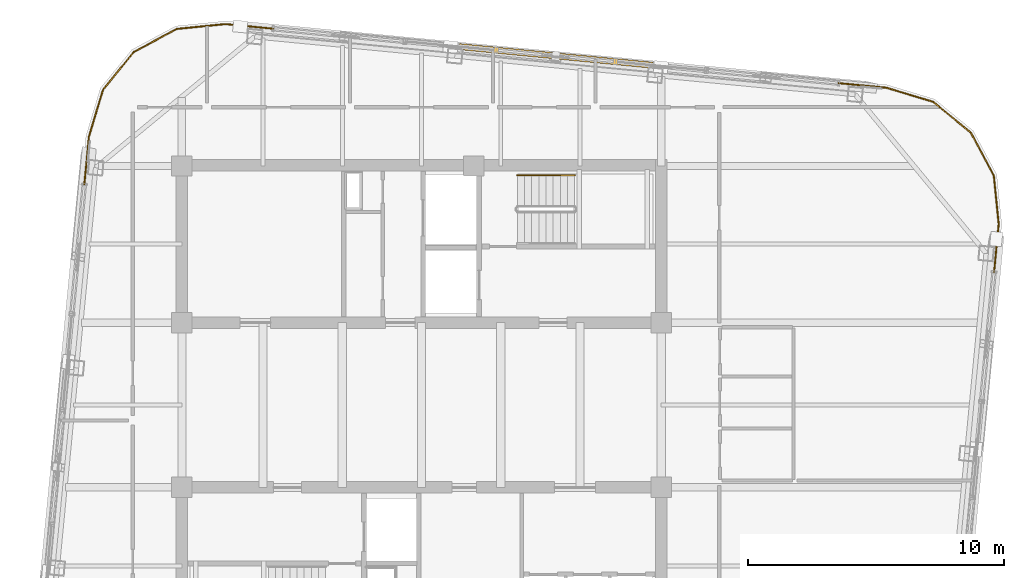
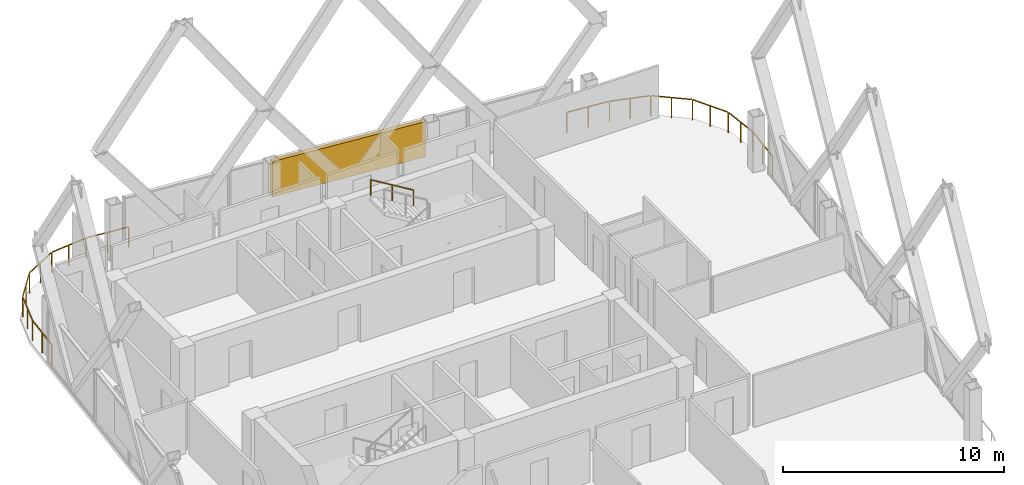
# One storey, part 25 of 25: 3 railings, 1 shading device.
"""IFC4 building model written with IfcOpenShell, lengths in metres."""

import ifcopenshell
import ifcopenshell.guid

model = None  # the IFC model being written
_history = None  # IfcOwnerHistory: only IFC2X3 demands one
_inside = {}  # id of a spatial element -> (the spatial element, [elements in it])
_under = {}  # id of a project, library or spatial element -> (it, [spatial elements below it])
_declared = {}  # id of a project -> (the project, [libraries it declares])
_typed = {}  # id of a type object -> (the type object, [elements of that type])
_made_of = {}  # id of a material, layer set ... -> (it, [elements and type objects made of it])


def new_model(schema):
    """Start an empty IFC model of exactly this schema.

    Asked for "IFC4X3", IfcOpenShell would pick the latest addendum, in which some entities
    have other attributes; the version numbers below select the first issue.
    IFC2X3 requires an IfcOwnerHistory on every rooted entity: one is made here for all.
    """
    global model, _history
    if schema == "IFC4X3":
        model = ifcopenshell.file(schema_version=(4, 3, 0, 0))
    else:
        model = ifcopenshell.file(schema=schema)
    _inside.clear()
    _under.clear()
    _declared.clear()
    _typed.clear()
    _made_of.clear()
    _history = None
    if model.schema == "IFC2X3":
        org = make("IfcOrganization", Name="unknown")
        user = make(
            "IfcPersonAndOrganization",
            ThePerson=make("IfcPerson", FamilyName="unknown"),
            TheOrganization=org,
        )
        app = make(
            "IfcApplication",
            ApplicationDeveloper=org,
            Version="unknown",
            ApplicationFullName="unknown",
            ApplicationIdentifier="unknown",
        )
        _history = make(
            "IfcOwnerHistory",
            OwningUser=user,
            OwningApplication=app,
            ChangeAction="ADDED",
            CreationDate=0,
        )
    return model


def make(cls, **values):
    """One entity of the class cls with the attributes given. An attribute that is None is left unset."""
    return model.create_entity(
        cls, **{name: value for name, value in values.items() if value is not None}
    )


def rooted(cls, **values):
    """An entity with a GlobalId (a new one), such as an element, a storey or a relation."""
    return make(cls, GlobalId=ifcopenshell.guid.new(), OwnerHistory=_history, **values)


def si_unit(unit_type, name, prefix=None):
    """IfcSIUnit, for example si_unit("LENGTHUNIT", "METRE", prefix="MILLI")."""
    return make("IfcSIUnit", UnitType=unit_type, Prefix=prefix, Name=name)


def assignment(units):
    """IfcUnitAssignment: the units of a project."""
    return None if units is None else make("IfcUnitAssignment", Units=units)


def point(xyz):
    """IfcCartesianPoint."""
    return None if xyz is None else make("IfcCartesianPoint", Coordinates=xyz)


def direction(xyz):
    """IfcDirection."""
    return None if xyz is None else make("IfcDirection", DirectionRatios=xyz)


def frame(location, z_axis=None, x_axis=None):
    """IfcAxis2Placement3D, a coordinate frame: its origin and axes. An axis left out is left unset."""
    return make(
        "IfcAxis2Placement3D",
        Location=point(location),
        Axis=direction(z_axis),
        RefDirection=direction(x_axis),
    )


def frame_2d(location, x_axis=None):
    """IfcAxis2Placement2D, a coordinate frame in the plane: its origin and x axis."""
    return make(
        "IfcAxis2Placement2D", Location=point(location), RefDirection=direction(x_axis)
    )


def origin():
    """The frame at (0, 0, 0) with its axes left unset."""
    return frame((0.0, 0.0, 0.0))


def origin_2d():
    """The frame at (0, 0) in the plane with its x axis left unset."""
    return frame_2d((0.0, 0.0))


def place(relative_to, where):
    """IfcLocalPlacement: puts the frame where relative to a parent placement (None: the world)."""
    return make(
        "IfcLocalPlacement", PlacementRelTo=relative_to, RelativePlacement=where
    )


def context(
    kind, dimensions, precision=None, world=None, true_north=None, identifier=None
):
    """IfcGeometricRepresentationContext, for example the 3D "Model" context."""
    return make(
        "IfcGeometricRepresentationContext",
        ContextIdentifier=identifier,
        ContextType=kind,
        CoordinateSpaceDimension=dimensions,
        Precision=precision,
        WorldCoordinateSystem=world,
        TrueNorth=true_north,
    )


def subcontext(parent, identifier, kind, view, scale=None):
    """IfcGeometricRepresentationSubContext, for example "Body" below "Model"."""
    return make(
        "IfcGeometricRepresentationSubContext",
        ContextIdentifier=identifier,
        ContextType=kind,
        ParentContext=parent,
        TargetScale=scale,
        TargetView=view,
    )


def project(units=None, contexts=None):
    """IfcProject with its units and contexts."""
    return rooted(
        "IfcProject",
        Name="project",
        RepresentationContexts=contexts,
        UnitsInContext=assignment(units),
    )


def spatial(cls, under=None, at=None, **own):
    """A site, building, storey or space (cls), placed at a placement, below another one or the project."""
    s = rooted(cls, ObjectPlacement=at, **own)
    if under is not None:
        _under.setdefault(under.id(), (under, []))[1].append(s)
    return s


def profile(cls, at=None, kind="AREA", **sizes):
    """A parametric profile (cls). Its sizes go by their IFC names, for example OverallWidth=200.0."""
    return make(cls, ProfileType=kind, Position=at, **sizes)


def rectangle(**sizes):
    """IfcRectangleProfileDef."""
    return profile("IfcRectangleProfileDef", **sizes)


def extrude(swept, where, along, depth):
    """IfcExtrudedAreaSolid: the profile swept, set in the frame where, extruded along a direction by depth."""
    return make(
        "IfcExtrudedAreaSolid",
        SweptArea=swept,
        Position=where,
        ExtrudedDirection=direction(along),
        Depth=depth,
    )


def shape(context_of_items, identifier, shape_type, items):
    """IfcShapeRepresentation: the items that make up one representation, for example the "Body"."""
    return make(
        "IfcShapeRepresentation",
        ContextOfItems=context_of_items,
        RepresentationIdentifier=identifier,
        RepresentationType=shape_type,
        Items=items,
    )


def material(Name=None, Category=None):
    """IfcMaterial."""
    return make("IfcMaterial", Name=Name, Category=Category)


def made_of(thing, what):
    """Note that an element or type object is made of a material, layer set ...; save() writes the relation."""
    if what is not None:
        _made_of.setdefault(what.id(), (what, []))[1].append(thing)
    return thing


def type_object(cls, material=None, **own):
    """A type object (cls), such as IfcWallType, which elements share."""
    return made_of(rooted(cls, **own), material)


def element(
    cls,
    number,
    at=None,
    inside=None,
    cuts=None,
    type_object=None,
    material=None,
    context=None,
    identifier="Body",
    shape_type=None,
    held_by="IfcProductDefinitionShape",
    body=None,
    shapes=None,
    **own,
):
    """One element of the class cls, such as IfcWall. Its Tag is "e" and its number.

    at: its placement. inside: the storey or other place that contains it. cuts: it is an
    opening in that element (IfcRelVoidsElement). A single representation is given by context,
    identifier, shape_type and body (its items); several are given by shapes. held_by: the class
    of the entity that holds the representations. save() writes the other relations.
    """
    e = rooted(cls, Tag="e%d" % number, ObjectPlacement=at, **own)
    if body is not None:
        shapes = [shape(context, identifier, shape_type, body)]
    if shapes is not None:
        e.Representation = make(held_by, Representations=shapes)
    if inside is not None:
        _inside.setdefault(inside.id(), (inside, []))[1].append(e)
    if cuts is not None:
        rooted(
            "IfcRelVoidsElement", RelatingBuildingElement=cuts, RelatedOpeningElement=e
        )
    if type_object is not None:
        _typed.setdefault(type_object.id(), (type_object, []))[1].append(e)
    return made_of(e, material)


def aggregate(whole, parts):
    """IfcRelAggregates: a whole, such as a stair, and the parts it consists of."""
    return rooted("IfcRelAggregates", RelatingObject=whole, RelatedObjects=parts)


def save(model, path):
    """Write the relations noted so far, then the file.

    IfcRelAggregates (storeys below a building ...), IfcRelContainedInSpatialStructure (elements
    in a storey), IfcRelDefinesByType, IfcRelAssociatesMaterial and IfcRelDeclares: one each for
    every whole, place, type object, material and project.
    """
    for whole, parts in _under.values():
        aggregate(whole, parts)
    for where, things in _inside.values():
        rooted(
            "IfcRelContainedInSpatialStructure",
            RelatedElements=things,
            RelatingStructure=where,
        )
    for kind, things in _typed.values():
        rooted("IfcRelDefinesByType", RelatedObjects=things, RelatingType=kind)
    for what, things in _made_of.values():
        rooted("IfcRelAssociatesMaterial", RelatedObjects=things, RelatingMaterial=what)
    for by, libraries in _declared.values():
        rooted("IfcRelDeclares", RelatingContext=by, RelatedDefinitions=libraries)
    model.write(path)


model = new_model("IFC4")

# Units and contexts
model_context = context("Model", 3, precision=1e-05, world=origin(), true_north=direction((0.0, 1.0)))
body_context = subcontext(model_context, "Body", "Model", "MODEL_VIEW")
ifc_project = project(units=[si_unit("LENGTHUNIT", "METRE"), si_unit("AREAUNIT", "SQUARE_METRE"), si_unit("VOLUMEUNIT", "CUBIC_METRE"), si_unit("PLANEANGLEUNIT", "RADIAN"), si_unit("MASSUNIT", "GRAM", prefix="KILO")], contexts=[model_context])

# Site, building, storey
site_placement = place(None, origin())
site = spatial("IfcSite", under=ifc_project, at=site_placement, CompositionType="ELEMENT")
building_placement = place(site_placement, origin())
building = spatial("IfcBuilding", under=site, at=building_placement, Name="Qhalaya Broadcast Tower", CompositionType="ELEMENT")
storey_placement = place(building_placement, frame((0.0, 0.0, 255.050048828125)))
storey = spatial("IfcBuildingStorey", under=building, at=storey_placement, Name="L75", CompositionType="ELEMENT", Elevation=255.050048828125)

# Railings
ifc_material_1 = material(Name="Powder-Coated Galvanised Steel", Category="steel")
railing_type_1 = type_object("IfcRailingType", Name="Stair Wall Handrail 900", PredefinedType="HANDRAIL", material=ifc_material_1)
railing_1_placement = place(storey_placement, frame((5.989990234375, 9.590087890625, 1.6943359375)))
element("IfcRailing", 1, at=railing_1_placement, inside=storey, type_object=railing_type_1, Name="L75 ST-1 Stair Handrail 2", PredefinedType="HANDRAIL", context=body_context, shape_type="SweptSolid", body=[
    extrude(rectangle(XDim=0.048095703125, YDim=0.048095703125, at=origin_2d()), frame((0.0, 0.0, 0.8759765625), z_axis=(-0.855512035549, 0.0, 0.517782924622), x_axis=(0.0, -1.0, 0.0)), (0.0, 0.0, 1.0), 2.618408203125),
    extrude(rectangle(XDim=0.0419921875, YDim=0.0419921875, at=origin_2d()), origin(), (0.0, 0.0, 1.0), 0.849853515625),
    extrude(rectangle(XDim=0.0419921875, YDim=0.0419921875, at=origin_2d()), frame((-1.1201171875, 0.0, 0.677734375)), (0.0, 0.0, 1.0), 0.849853515625),
    extrude(rectangle(XDim=0.0419921875, YDim=0.0419921875, at=origin_2d()), frame((-2.239990234375, 0.0, 1.355712890625)), (0.0, 0.0, 1.0), 0.849853515625),
])
railing_type_2 = type_object("IfcRailingType", Name="Terrace, Sky-Pool & Lookout Glass Balustrade 1150", PredefinedType="BALUSTRADE", material=ifc_material_1)
railing_2_placement = place(storey_placement, frame((-13.2158203125, 8.99365234375, 0.0)))
element("IfcRailing", 2, at=railing_2_placement, inside=storey, type_object=railing_type_2, Name="L75 Rounded Corner Perimeter Guard 03", PredefinedType="BALUSTRADE", context=body_context, shape_type="SweptSolid", body=[
    extrude(rectangle(XDim=0.048095703125, YDim=0.048095703125, at=origin_2d()), frame((0.0, 0.0, 1.1259765625), z_axis=(0.095896889673, 0.995391273094, 0.0), x_axis=(-0.995391273094, 0.095896889673, 0.0)), (0.0, 0.0, 1.0), 2.08935546875),
    extrude(rectangle(XDim=0.048095703125, YDim=0.048095703125, at=origin_2d()), frame((0.21142578125, 2.135986328125, 1.1259765625), z_axis=(0.288096282124, 0.957601447485, 0.0), x_axis=(-0.957601447485, 0.288096282124, 0.0)), (0.0, 0.0, 1.0), 1.857421875),
    extrude(rectangle(XDim=0.048095703125, YDim=0.048095703125, at=origin_2d()), frame((0.773193359375, 3.96484375, 1.1259765625), z_axis=(0.63274871945, 0.774357190213, 0.0), x_axis=(-0.774357190213, 0.63274871945, 0.0)), (0.0, 0.0, 1.0), 1.845703125),
    extrude(rectangle(XDim=0.048095703125, YDim=0.048095703125, at=origin_2d()), frame((1.984619140625, 5.429931640625, 1.1259765625), z_axis=(0.880878554058, 0.473342342286, 0.0), x_axis=(-0.473342342286, 0.880878554058, 0.0)), (0.0, 0.0, 1.0), 1.845458984375),
    extrude(rectangle(XDim=0.048095703125, YDim=0.048095703125, at=origin_2d()), frame((3.66455078125, 6.320068359375, 1.1259765625), z_axis=(0.994980230152, 0.100071682341, 0.0), x_axis=(-0.100071682341, 0.994980230152, 0.0)), (0.0, 0.0, 1.0), 1.857421875),
    extrude(rectangle(XDim=0.048095703125, YDim=0.048095703125, at=origin_2d()), frame((5.570068359375, 6.506103515625, 1.1259765625), z_axis=(0.995402268864, -0.095782687057, 0.0), x_axis=(0.095782687057, 0.995402268864, 0.0)), (0.0, 0.0, 1.0), 2.08935546875),
    extrude(rectangle(XDim=0.0419921875, YDim=0.0419921875, at=origin_2d()), origin(), (0.0, 0.0, 1.0), 1.099853515625),
    extrude(rectangle(XDim=0.0419921875, YDim=0.0419921875, at=origin_2d()), frame((0.1015625, 1.05419921875, 0.0)), (0.0, 0.0, 1.0), 1.099853515625),
    extrude(rectangle(XDim=0.0419921875, YDim=0.0419921875, at=origin_2d()), frame((0.203125, 2.1083984375, 0.0)), (0.0, 0.0, 1.0), 1.099853515625),
    extrude(rectangle(XDim=0.0419921875, YDim=0.0419921875, at=origin_2d()), frame((0.47900390625, 3.025390625, 0.0)), (0.0, 0.0, 1.0), 1.099853515625),
    extrude(rectangle(XDim=0.0419921875, YDim=0.0419921875, at=origin_2d()), frame((0.7548828125, 3.9423828125, 0.0)), (0.0, 0.0, 1.0), 1.099853515625),
    extrude(rectangle(XDim=0.0419921875, YDim=0.0419921875, at=origin_2d()), frame((1.35693359375, 4.67919921875, 0.0)), (0.0, 0.0, 1.0), 1.099853515625),
    extrude(rectangle(XDim=0.0419921875, YDim=0.0419921875, at=origin_2d()), frame((1.959228515625, 5.416259765625, 0.0)), (0.0, 0.0, 1.0), 1.099853515625),
    extrude(rectangle(XDim=0.0419921875, YDim=0.0419921875, at=origin_2d()), frame((2.79736328125, 5.86669921875, 0.0)), (0.0, 0.0, 1.0), 1.099853515625),
    extrude(rectangle(XDim=0.0419921875, YDim=0.0419921875, at=origin_2d()), frame((3.6357421875, 6.317138671875, 0.0)), (0.0, 0.0, 1.0), 1.099853515625),
    extrude(rectangle(XDim=0.0419921875, YDim=0.0419921875, at=origin_2d()), frame((4.58837890625, 6.4130859375, 0.0)), (0.0, 0.0, 1.0), 1.099853515625),
    extrude(rectangle(XDim=0.0419921875, YDim=0.0419921875, at=origin_2d()), frame((5.541259765625, 6.5087890625, 0.0)), (0.0, 0.0, 1.0), 1.099853515625),
    extrude(rectangle(XDim=0.0419921875, YDim=0.0419921875, at=origin_2d()), frame((6.595458984375, 6.4072265625, 0.0)), (0.0, 0.0, 1.0), 1.099853515625),
    extrude(rectangle(XDim=0.0419921875, YDim=0.0419921875, at=origin_2d()), frame((7.649658203125, 6.305908203125, 0.0)), (0.0, 0.0, 1.0), 1.099853515625),
])
railing_3_placement = place(storey_placement, frame((16.07373046875, 13.2158203125, 0.0)))
element("IfcRailing", 3, at=railing_3_placement, inside=storey, type_object=railing_type_2, Name="L75 Rounded Corner Perimeter Guard 04", PredefinedType="BALUSTRADE", context=body_context, shape_type="SweptSolid", body=[
    extrude(rectangle(XDim=0.048095703125, YDim=0.048095703125, at=origin_2d()), frame((0.0, 0.0, 1.1259765625), z_axis=(0.995391273094, -0.095896889673, 0.0), x_axis=(0.095896889673, 0.995391273094, 0.0)), (0.0, 0.0, 1.0), 2.08935546875),
    extrude(rectangle(XDim=0.048095703125, YDim=0.048095703125, at=origin_2d()), frame((2.135986328125, -0.21142578125, 1.1259765625), z_axis=(0.957601447485, -0.288096282124, 0.0), x_axis=(0.288096282124, 0.957601447485, 0.0)), (0.0, 0.0, 1.0), 1.857421875),
    extrude(rectangle(XDim=0.048095703125, YDim=0.048095703125, at=origin_2d()), frame((3.96484375, -0.773193359375, 1.1259765625), z_axis=(0.774357190213, -0.63274871945, 0.0), x_axis=(0.63274871945, 0.774357190213, 0.0)), (0.0, 0.0, 1.0), 1.845703125),
    extrude(rectangle(XDim=0.048095703125, YDim=0.048095703125, at=origin_2d()), frame((5.429931640625, -1.984619140625, 1.1259765625), z_axis=(0.473242797018, -0.880932037714, 0.0), x_axis=(0.880932037714, 0.473242797018, 0.0)), (0.0, 0.0, 1.0), 1.845458984375),
    extrude(rectangle(XDim=0.048095703125, YDim=0.048095703125, at=origin_2d()), frame((6.31982421875, -3.66455078125, 1.1259765625), z_axis=(0.100197883148, -0.994967529225, 0.0), x_axis=(0.994967529225, 0.100197883148, 0.0)), (0.0, 0.0, 1.0), 1.857421875),
    extrude(rectangle(XDim=0.048095703125, YDim=0.048095703125, at=origin_2d()), frame((6.506103515625, -5.570068359375, 1.1259765625), z_axis=(-0.095896889673, -0.995391273094, 0.0), x_axis=(0.995391273094, -0.095896889673, 0.0)), (0.0, 0.0, 1.0), 2.08935546875),
    extrude(rectangle(XDim=0.0419921875, YDim=0.0419921875, at=origin_2d()), origin(), (0.0, 0.0, 1.0), 1.099853515625),
    extrude(rectangle(XDim=0.0419921875, YDim=0.0419921875, at=origin_2d()), frame((1.05419921875, -0.1015625, 0.0)), (0.0, 0.0, 1.0), 1.099853515625),
    extrude(rectangle(XDim=0.0419921875, YDim=0.0419921875, at=origin_2d()), frame((2.1083984375, -0.203125, 0.0)), (0.0, 0.0, 1.0), 1.099853515625),
    extrude(rectangle(XDim=0.0419921875, YDim=0.0419921875, at=origin_2d()), frame((3.025390625, -0.47900390625, 0.0)), (0.0, 0.0, 1.0), 1.099853515625),
    extrude(rectangle(XDim=0.0419921875, YDim=0.0419921875, at=origin_2d()), frame((3.9423828125, -0.7548828125, 0.0)), (0.0, 0.0, 1.0), 1.099853515625),
    extrude(rectangle(XDim=0.0419921875, YDim=0.0419921875, at=origin_2d()), frame((4.67919921875, -1.35693359375, 0.0)), (0.0, 0.0, 1.0), 1.099853515625),
    extrude(rectangle(XDim=0.0419921875, YDim=0.0419921875, at=origin_2d()), frame((5.416259765625, -1.959228515625, 0.0)), (0.0, 0.0, 1.0), 1.099853515625),
    extrude(rectangle(XDim=0.0419921875, YDim=0.0419921875, at=origin_2d()), frame((5.86669921875, -2.79736328125, 0.0)), (0.0, 0.0, 1.0), 1.099853515625),
    extrude(rectangle(XDim=0.0419921875, YDim=0.0419921875, at=origin_2d()), frame((6.31689453125, -3.6357421875, 0.0)), (0.0, 0.0, 1.0), 1.099853515625),
    extrude(rectangle(XDim=0.0419921875, YDim=0.0419921875, at=origin_2d()), frame((6.412841796875, -4.58837890625, 0.0)), (0.0, 0.0, 1.0), 1.099853515625),
    extrude(rectangle(XDim=0.0419921875, YDim=0.0419921875, at=origin_2d()), frame((6.5087890625, -5.541259765625, 0.0)), (0.0, 0.0, 1.0), 1.099853515625),
    extrude(rectangle(XDim=0.0419921875, YDim=0.0419921875, at=origin_2d()), frame((6.4072265625, -6.595458984375, 0.0)), (0.0, 0.0, 1.0), 1.099853515625),
    extrude(rectangle(XDim=0.0419921875, YDim=0.0419921875, at=origin_2d()), frame((6.3056640625, -7.649658203125, 0.0)), (0.0, 0.0, 1.0), 1.099853515625),
])

# Shading device
ifc_material_2 = material(Name="Fired Architectural Terracotta", Category="masonry")
shading_device_type = type_object("IfcShadingDeviceType", Name="Terracotta Baguette Solar Screen Assembly TBS-01", PredefinedType="USERDEFINED", material=ifc_material_2)
shading_device_placement = place(storey_placement, frame((5.25390625, 14.2578125, 0.80078125), z_axis=(0.0, 0.0, 1.0), x_axis=(-0.995396198367, 0.09584575252, 0.0)))
element("IfcShadingDevice", 4, at=shading_device_placement, inside=storey, type_object=shading_device_type, Name="L75 Fired Terracotta Baguette Screen N", ObjectType="BAGUETTE", PredefinedType="USERDEFINED", context=body_context, shape_type="SweptSolid", body=[
    extrude(rectangle(XDim=7.60009765625, YDim=0.239990234375, at=origin_2d()), origin(), (0.0, 0.0, 1.0), 1.945068359375),
])

save(model, "model.ifc")
